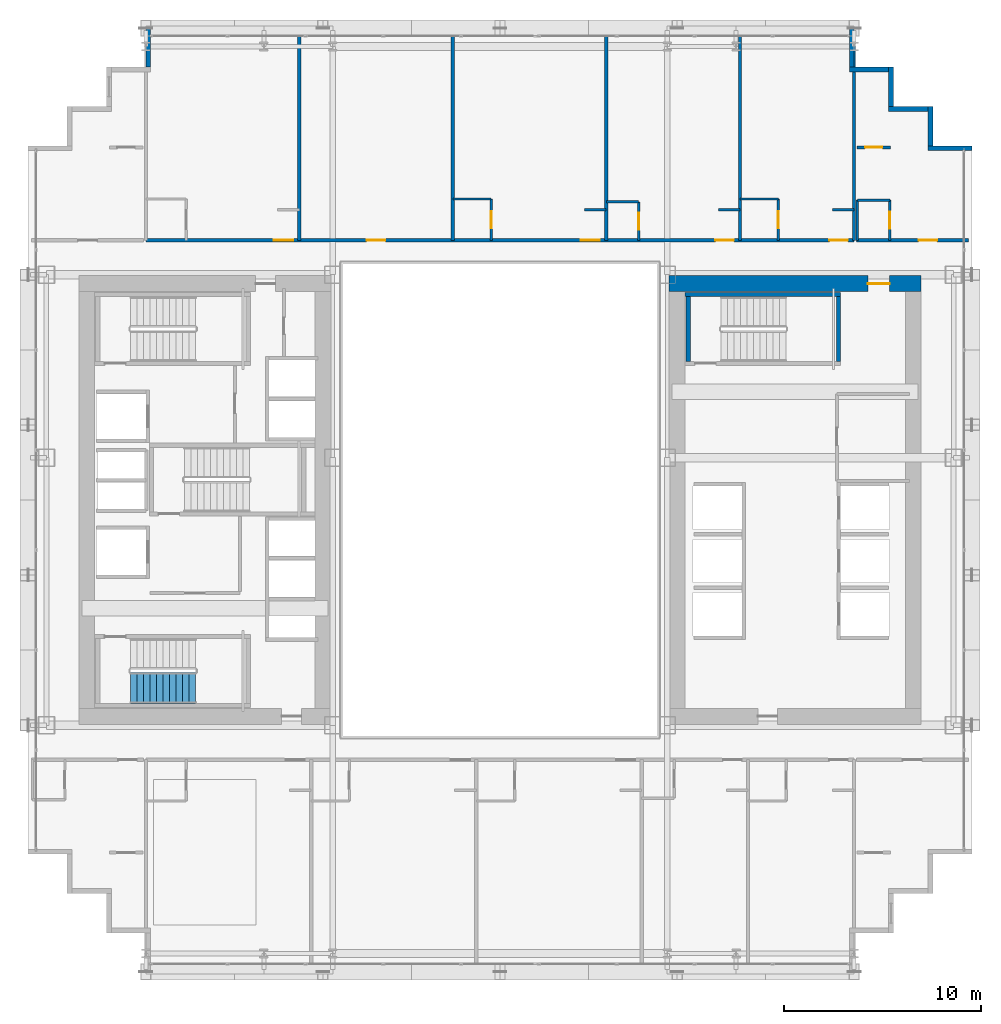
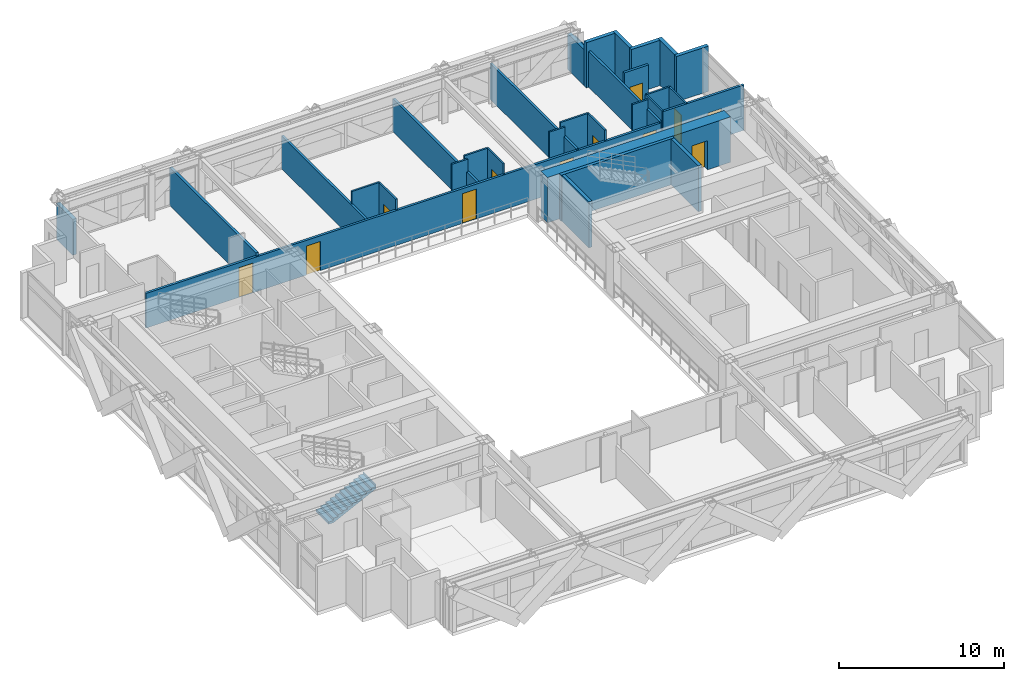
# One storey, part 33 of 38: 31 walls, 12 doors, 1 stair flight, 12 openings, 1 element without a shape of its own.
"""IFC4 building model written with IfcOpenShell, lengths in metres."""

from ifc_helpers import new_model, si_unit, direction, frame, frame_2d, origin, place, context, subcontext, project, spatial, polyline, rectangle, outline, extrude, source, transform, mapped, material, layer, layer_set, type_object, element, fill, aggregate, save


model = new_model("IFC4")

# Units and contexts
model_context = context("Model", 3, precision=1e-05, world=origin(), true_north=direction((0.0, 1.0)))
body_context = subcontext(model_context, "Body", "Model", "MODEL_VIEW")
ifc_project = project(units=[si_unit("LENGTHUNIT", "METRE"), si_unit("AREAUNIT", "SQUARE_METRE"), si_unit("VOLUMEUNIT", "CUBIC_METRE"), si_unit("PLANEANGLEUNIT", "RADIAN"), si_unit("MASSUNIT", "GRAM", prefix="KILO")], contexts=[model_context])

# Site, building, storey
site_placement = place(None, origin())
site = spatial("IfcSite", under=ifc_project, at=site_placement, CompositionType="ELEMENT")
building_placement = place(site_placement, origin())
building = spatial("IfcBuilding", under=site, at=building_placement, Name="Ocotamira Hotel", CompositionType="ELEMENT")
storey_placement = place(building_placement, frame((0.0, 0.0, 60.0)))
storey = spatial("IfcBuildingStorey", under=building, at=storey_placement, Name="L14", CompositionType="ELEMENT", Elevation=60.0)

# Wall, opening, door
ifc_material_1 = material(Name="Concrete C60/75", Category="concrete")
ifc_layer_1 = layer(ifc_material_1, 0.800048828125)
ifc_layer_set_1 = layer_set([ifc_layer_1], Name="Concrete C60/75")
wall_type_1 = type_object("IfcWallType", Name="WL-CORE-800", PredefinedType="SHEAR", material=ifc_layer_set_1)
wall_1_placement = place(storey_placement, frame((40.60009765625, 37.0, 0.0), z_axis=(0.0, 0.0, 1.0), x_axis=(1.0, 0.0, 0.0)))
wall_1 = element("IfcWall", 1, at=wall_1_placement, inside=storey, type_object=wall_type_1, Name="L14 Shear Core Wall ECORE-N", PredefinedType="SHEAR", context=body_context, shape_type="SweptSolid", body=[
    extrude(rectangle(XDim=12.7998046875, YDim=0.800048828125, at=frame_2d((6.39990234375, 0.0))), origin(), (0.0, 0.0, 1.0), 3.35009765625),
])
opening_1_placement = place(wall_1_placement, frame((10.10009765625, 0.0, 0.0)))
opening_1 = element("IfcOpeningElement", 2, at=opening_1_placement, cuts=wall_1, Name="Opening D-FR1", PredefinedType="OPENING", context=body_context, shape_type="SweptSolid", body=[
    extrude(rectangle(XDim=1.10009765625, YDim=2.14990234375, at=frame_2d((0.550048828125, 1.074951171875))), frame((0.0, 0.41015625, 0.0), z_axis=(0.0, -1.0, 0.0), x_axis=(1.0, 0.0, 0.0)), (0.0, 0.0, 1.0), 0.820068359375),
])
ifc_material_2 = material(Name="Fire-rated acoustic timber-veneer door", Category="wood")
door_type_1 = type_object("IfcDoorType", Name="DR-FIRE-1100", OperationType="NOTDEFINED", PredefinedType="DOOR", material=ifc_material_2)
shared_shape_1 = source(origin(), body_context, "Body", "SweptSolid", [
    extrude(rectangle(XDim=1.10009765625, YDim=2.14990234375, at=frame_2d((0.550048828125, 1.074951171875))), frame((0.0, 0.02490234375, 0.0), z_axis=(0.0, -1.0, 0.0), x_axis=(1.0, 0.0, 0.0)), (0.0, 0.0, 1.0), 0.050048828125),
])
door_1_placement = place(opening_1_placement, origin())
door_1 = element("IfcDoor", 3, at=door_1_placement, inside=storey, type_object=door_type_1, Name="L14 Door ID-L14-ELOB-N-D [ID-L14-ELOB-N-D]", OperationType="SINGLE_SWING_LEFT", OverallHeight=2.14990234375, OverallWidth=1.10009765625, PredefinedType="DOOR", context=body_context, shape_type="MappedRepresentation", body=[
    mapped(shared_shape_1, transform((0.0, 0.0, 0.0), scale=1.0)),
])
fill(opening_1, door_1)

# Walls
ifc_material_3 = material(Name="Precast concrete C45/55", Category="concrete")
ifc_layer_2 = layer(ifc_material_3, 0.25)
ifc_layer_set_2 = layer_set([ifc_layer_2], Name="Precast concrete C45/55")
wall_type_2 = type_object("IfcWallType", Name="WL-EXT-SER-250", PredefinedType="SOLIDWALL", material=ifc_layer_set_2)
wall_2_placement = place(storey_placement, frame((56.0, 43.875, 0.0), z_axis=(0.0, 0.0, 1.0), x_axis=(-1.0, 0.0, 0.0)))
element("IfcWall", 4, at=wall_2_placement, inside=storey, type_object=wall_type_2, Name="L14 Serrated Corner Wall 07", PredefinedType="SOLIDWALL", context=body_context, shape_type="SweptSolid", body=[
    extrude(rectangle(XDim=2.25, YDim=0.25, at=frame_2d((1.125, 0.0))), origin(), (0.0, 0.0, 1.0), 3.35009765625),
])
for number, where, z_axis, x_axis, name in (
    (5, (53.875, 44.0, 0.0), (0.0, 0.0, 1.0), (0.0, 1.0, 0.0), "L14 Serrated Corner Wall 08"),
    (6, (53.75, 45.875, 0.0), (0.0, 0.0, 1.0), (-1.0, 0.0, 0.0), "L14 Serrated Corner Wall 09"),
    (7, (51.875, 46.0, 0.0), (0.0, 0.0, 1.0), (0.0, 1.0, 0.0), "L14 Serrated Corner Wall 10"),
    (8, (51.75, 47.875, 0.0), (0.0, 0.0, 1.0), (-1.0, 0.0, 0.0), "L14 Serrated Corner Wall 11"),
):
    element("IfcWall", number, at=place(storey_placement, frame(where, z_axis=z_axis, x_axis=x_axis)), inside=storey, type_object=wall_type_2, Name=name, PredefinedType="SOLIDWALL", context=body_context, shape_type="SweptSolid", body=[
        extrude(rectangle(XDim=2.0, YDim=0.25, at=frame_2d((1.0, 0.0))), origin(), (0.0, 0.0, 1.0), 3.35009765625),
    ])
for number, where, z_axis, x_axis, name in (
    (9, (49.875, 48.0, 0.0), (0.0, 0.0, 1.0), (0.0, 1.0, 0.0), "L14 Serrated Corner Wall 12"),
    (10, (14.125, 50.0, 0.0), (0.0, 0.0, 1.0), (0.0, -1.0, 0.0), "L14 Serrated Corner Wall 13"),
):
    element("IfcWall", number, at=place(storey_placement, frame(where, z_axis=z_axis, x_axis=x_axis)), inside=storey, type_object=wall_type_2, Name=name, PredefinedType="SOLIDWALL", context=body_context, shape_type="SweptSolid", body=[
        extrude(rectangle(XDim=2.0, YDim=0.25, at=frame_2d((1.0, 0.0))), origin(), (0.0, 0.0, 1.0), 2.656982421875),
    ])

# Wall, opening, door
ifc_material_4 = material(Name="Acoustic double-layer fire gypsum board partition", Category="gypsum")
ifc_layer_3 = layer(ifc_material_4, 0.159912109375)
ifc_layer_set_3 = layer_set([ifc_layer_3], Name="Acoustic double-layer fire gypsum board partition")
wall_type_3 = type_object("IfcWallType", Name="WL-FIRE-160", PredefinedType="PARTITIONING", material=ifc_layer_set_3)
wall_3_placement = place(storey_placement, frame((50.1201171875, 39.199951171875, 0.0), z_axis=(0.0, 0.0, 1.0), x_axis=(1.0, 0.0, 0.0)))
wall_3 = element("IfcWall", 11, at=wall_3_placement, inside=storey, type_object=wall_type_3, Name="L14 Interior Wall PW-L14-Z1C-CNE-CW", PredefinedType="PARTITIONING", context=body_context, shape_type="SweptSolid", body=[
    extrude(rectangle(XDim=5.679931640625, YDim=0.159912109375, at=frame_2d((2.83984375, 0.0))), origin(), (0.0, 0.0, 1.0), 3.35009765625),
])
opening_2_placement = place(wall_3_placement, frame((3.14990234375, 0.0, 0.0)))
opening_2 = element("IfcOpeningElement", 12, at=opening_2_placement, cuts=wall_3, Name="Opening D-GR1", PredefinedType="OPENING", context=body_context, shape_type="SweptSolid", body=[
    extrude(rectangle(XDim=0.93994140625, YDim=2.14990234375, at=frame_2d((0.469970703125, 1.074951171875))), frame((0.0, 0.08984375, 0.0), z_axis=(0.0, -1.0, 0.0), x_axis=(1.0, 0.0, 0.0)), (0.0, 0.0, 1.0), 0.179931640625),
])
ifc_material_5 = material(Name="Solid-core walnut suite entrance fire door", Category="wood")
door_type_2 = type_object("IfcDoorType", Name="DR-GUEST-940", OperationType="NOTDEFINED", PredefinedType="DOOR", material=ifc_material_5)
shared_shape_2 = source(origin(), body_context, "Body", "SweptSolid", [
    extrude(rectangle(XDim=0.93994140625, YDim=2.14990234375, at=frame_2d((0.469970703125, 1.074951171875))), frame((0.0, 0.02490234375, 0.0), z_axis=(0.0, -1.0, 0.0), x_axis=(1.0, 0.0, 0.0)), (0.0, 0.0, 1.0), 0.050048828125),
])
door_2_placement = place(opening_2_placement, origin())
door_2 = element("IfcDoor", 13, at=door_2_placement, inside=storey, type_object=door_type_2, Name="L14 Door ID-L14-Z1C-CNE-CD [ID-L14-Z1C-CNE-CD]", OperationType="SINGLE_SWING_RIGHT", OverallHeight=2.14990234375, OverallWidth=0.93994140625, PredefinedType="DOOR", context=body_context, shape_type="MappedRepresentation", body=[
    mapped(shared_shape_2, transform((0.0, 0.0, 0.0), scale=1.0)),
])
fill(opening_2, door_2)

wall_4_placement = place(storey_placement, frame((50.14990234375, 43.919921875, 0.0), z_axis=(0.0, 0.0, 1.0), x_axis=(1.0, 0.0, 0.0)))
wall_4 = element("IfcWall", 14, at=wall_4_placement, inside=storey, type_object=wall_type_3, Name="L14 Interior Wall PW-L14-Z1C-CNE2-CW", PredefinedType="PARTITIONING", context=body_context, shape_type="SweptSolid", body=[
    extrude(rectangle(XDim=1.7001953125, YDim=0.159912109375, at=frame_2d((0.85009765625, 0.0))), origin(), (0.0, 0.0, 1.0), 3.35009765625),
])
opening_3_placement = place(wall_4_placement, frame((0.409912109375, 0.0, 0.0)))
opening_3 = element("IfcOpeningElement", 15, at=opening_3_placement, cuts=wall_4, Name="Opening D-SV2", PredefinedType="OPENING", context=body_context, shape_type="SweptSolid", body=[
    extrude(rectangle(XDim=0.8798828125, YDim=2.14990234375, at=frame_2d((0.43994140625, 1.074951171875))), frame((0.0, 0.08984375, 0.0), z_axis=(0.0, -1.0, 0.0), x_axis=(1.0, 0.0, 0.0)), (0.0, 0.0, 1.0), 0.179931640625),
])
ifc_material_6 = material(Name="Fire-rated painted steel service door", Category="steel")
door_type_3 = type_object("IfcDoorType", Name="DR-SERV-880", OperationType="NOTDEFINED", PredefinedType="DOOR", material=ifc_material_6)
shared_shape_3 = source(origin(), body_context, "Body", "SweptSolid", [
    extrude(rectangle(XDim=0.8798828125, YDim=2.14990234375, at=frame_2d((0.43994140625, 1.074951171875))), frame((0.0, 0.02490234375, 0.0), z_axis=(0.0, -1.0, 0.0), x_axis=(1.0, 0.0, 0.0)), (0.0, 0.0, 1.0), 0.050048828125),
])
door_3_placement = place(opening_3_placement, origin())
door_3 = element("IfcDoor", 16, at=door_3_placement, inside=storey, type_object=door_type_3, Name="L14 Door ID-L14-Z1C-CNE2-CD [ID-L14-Z1C-CNE2-CD]", OperationType="SINGLE_SWING_LEFT", OverallHeight=2.14990234375, OverallWidth=0.8798828125, PredefinedType="DOOR", context=body_context, shape_type="MappedRepresentation", body=[
    mapped(shared_shape_3, transform((0.0, 0.0, 0.0), scale=1.0)),
])
fill(opening_3, door_3)

# Wall, openings, doors
wall_5_placement = place(storey_placement, frame((14.0, 39.199951171875, 0.0), z_axis=(0.0, 0.0, 1.0), x_axis=(1.0, 0.0, 0.0)))
wall_5 = element("IfcWall", 17, at=wall_5_placement, inside=storey, type_object=wall_type_3, Name="L14 Interior Wall PW-L14-Z1CN-CORRW", PredefinedType="PARTITIONING", context=body_context, shape_type="SweptSolid", body=[
    extrude(rectangle(XDim=36.0, YDim=0.159912109375, at=frame_2d((18.0, 0.0))), origin(), (0.0, 0.0, 1.0), 2.571044921875),
])
opening_4_placement = place(wall_5_placement, frame((6.5, 0.0, 0.0)))
opening_4 = element("IfcOpeningElement", 18, at=opening_4_placement, cuts=wall_5, Name="Opening D-GR2", PredefinedType="OPENING", context=body_context, shape_type="SweptSolid", body=[
    extrude(rectangle(XDim=0.97998046875, YDim=2.199951171875, at=frame_2d((0.489990234375, 1.10009765625))), frame((0.0, 0.08984375, 0.0), z_axis=(0.0, -1.0, 0.0), x_axis=(1.0, 0.0, 0.0)), (0.0, 0.0, 1.0), 0.179931640625),
])
opening_5_placement = place(wall_5_placement, frame((11.219970703125, 0.0, 0.0)))
opening_5 = element("IfcOpeningElement", 19, at=opening_5_placement, cuts=wall_5, Name="Opening D-SV4", PredefinedType="OPENING", context=body_context, shape_type="SweptSolid", body=[
    extrude(rectangle(XDim=0.9599609375, YDim=2.14990234375, at=frame_2d((0.47998046875, 1.074951171875))), frame((0.0, 0.08984375, 0.0), z_axis=(0.0, -1.0, 0.0), x_axis=(1.0, 0.0, 0.0)), (0.0, 0.0, 1.0), 0.179931640625),
])
opening_6_placement = place(wall_5_placement, frame((22.10009765625, 0.0, 0.0)))
opening_6 = element("IfcOpeningElement", 20, at=opening_6_placement, cuts=wall_5, Name="Opening D-GR2", PredefinedType="OPENING", context=body_context, shape_type="SweptSolid", body=[
    extrude(rectangle(XDim=0.97998046875, YDim=2.199951171875, at=frame_2d((0.489990234375, 1.10009765625))), frame((0.0, 0.08984375, 0.0), z_axis=(0.0, -1.0, 0.0), x_axis=(1.0, 0.0, 0.0)), (0.0, 0.0, 1.0), 0.179931640625),
])
opening_7_placement = place(wall_5_placement, frame((28.93994140625, 0.0, 0.0)))
opening_7 = element("IfcOpeningElement", 21, at=opening_7_placement, cuts=wall_5, Name="Opening D-GR1", PredefinedType="OPENING", context=body_context, shape_type="SweptSolid", body=[
    extrude(rectangle(XDim=0.93994140625, YDim=2.14990234375, at=frame_2d((0.469970703125, 1.074951171875))), frame((0.0, 0.08984375, 0.0), z_axis=(0.0, -1.0, 0.0), x_axis=(1.0, 0.0, 0.0)), (0.0, 0.0, 1.0), 0.179931640625),
])
opening_8_placement = place(wall_5_placement, frame((34.739990234375, 0.0, 0.0)))
opening_8 = element("IfcOpeningElement", 22, at=opening_8_placement, cuts=wall_5, Name="Opening D-GR1", PredefinedType="OPENING", context=body_context, shape_type="SweptSolid", body=[
    extrude(rectangle(XDim=0.93994140625, YDim=2.14990234375, at=frame_2d((0.469970703125, 1.074951171875))), frame((0.0, 0.08984375, 0.0), z_axis=(0.0, -1.0, 0.0), x_axis=(1.0, 0.0, 0.0)), (0.0, 0.0, 1.0), 0.179931640625),
])
ifc_material_7 = material(Name="Fire-rated accessible walnut salon door", Category="wood")
door_type_4 = type_object("IfcDoorType", Name="DR-SERV-960", OperationType="NOTDEFINED", PredefinedType="DOOR", material=ifc_material_7)
shared_shape_4 = source(origin(), body_context, "Body", "SweptSolid", [
    extrude(rectangle(XDim=0.9599609375, YDim=2.14990234375, at=frame_2d((0.47998046875, 1.074951171875))), frame((0.0, 0.02490234375, 0.0), z_axis=(0.0, -1.0, 0.0), x_axis=(1.0, 0.0, 0.0)), (0.0, 0.0, 1.0), 0.050048828125),
])
door_4_placement = place(opening_5_placement, origin())
door_4 = element("IfcDoor", 23, at=door_4_placement, inside=storey, type_object=door_type_4, Name="L14 Door ID-L14-Z1CN-AMD2 [ID-L14-Z1CN-AMD2]", OperationType="SINGLE_SWING_RIGHT", OverallHeight=2.14990234375, OverallWidth=0.9599609375, PredefinedType="DOOR", context=body_context, shape_type="MappedRepresentation", body=[
    mapped(shared_shape_4, transform((0.0, 0.0, 0.0), scale=1.0)),
])
fill(opening_5, door_4)
door_5_placement = place(opening_7_placement, origin())
door_5 = element("IfcDoor", 24, at=door_5_placement, inside=storey, type_object=door_type_2, Name="L14 Door ID-L14-Z1CN-RMD4 [ID-L14-Z1CN-RMD4]", OperationType="SINGLE_SWING_RIGHT", OverallHeight=2.14990234375, OverallWidth=0.93994140625, PredefinedType="DOOR", context=body_context, shape_type="MappedRepresentation", body=[
    mapped(shared_shape_2, transform((0.0, 0.0, 0.0), scale=1.0)),
])
fill(opening_7, door_5)
door_6_placement = place(opening_8_placement, origin())
door_6 = element("IfcDoor", 25, at=door_6_placement, inside=storey, type_object=door_type_2, Name="L14 Door ID-L14-Z1CN-RMD5 [ID-L14-Z1CN-RMD5]", OperationType="SINGLE_SWING_LEFT", OverallHeight=2.14990234375, OverallWidth=0.93994140625, PredefinedType="DOOR", context=body_context, shape_type="MappedRepresentation", body=[
    mapped(shared_shape_2, transform((0.0, 0.0, 0.0), scale=1.0)),
])
fill(opening_8, door_6)
ifc_material_8 = material(Name="Solid-core walnut grand-suite entrance fire door", Category="wood")
door_type_5 = type_object("IfcDoorType", Name="DR-GUEST-980", OperationType="NOTDEFINED", PredefinedType="DOOR", material=ifc_material_8)
shared_shape_5 = source(origin(), body_context, "Body", "SweptSolid", [
    extrude(rectangle(XDim=0.97998046875, YDim=2.199951171875, at=frame_2d((0.489990234375, 1.10009765625))), frame((0.0, 0.02490234375, 0.0), z_axis=(0.0, -1.0, 0.0), x_axis=(1.0, 0.0, 0.0)), (0.0, 0.0, 1.0), 0.050048828125),
])
door_7_placement = place(opening_4_placement, origin())
door_7 = element("IfcDoor", 26, at=door_7_placement, inside=storey, type_object=door_type_5, Name="L14 Door ID-L14-Z1CN-RMD1 [ID-L14-Z1CN-RMD1]", OperationType="SINGLE_SWING_LEFT", OverallHeight=2.199951171875, OverallWidth=0.97998046875, PredefinedType="DOOR", context=body_context, shape_type="MappedRepresentation", body=[
    mapped(shared_shape_5, transform((0.0, 0.0, 0.0), scale=1.0)),
])
fill(opening_4, door_7)
door_8_placement = place(opening_6_placement, origin())
door_8 = element("IfcDoor", 27, at=door_8_placement, inside=storey, type_object=door_type_5, Name="L14 Door ID-L14-Z1CN-RMD3 [ID-L14-Z1CN-RMD3]", OperationType="SINGLE_SWING_LEFT", OverallHeight=2.199951171875, OverallWidth=0.97998046875, PredefinedType="DOOR", context=body_context, shape_type="MappedRepresentation", body=[
    mapped(shared_shape_5, transform((0.0, 0.0, 0.0), scale=1.0)),
])
fill(opening_6, door_8)

# Wall, opening, door
ifc_material_9 = material(Name="Moisture-resistant en-suite tile and gypsum partition", Category="gypsum")
ifc_layer_4 = layer(ifc_material_9, 0.1201171875)
ifc_layer_set_4 = layer_set([ifc_layer_4], Name="Moisture-resistant en-suite tile and gypsum partition")
wall_type_4 = type_object("IfcWallType", Name="WL-PART-120", PredefinedType="PARTITIONING", material=ifc_layer_set_4)
wall_6_placement = place(storey_placement, frame((51.81005859375, 39.199951171875, 0.0), z_axis=(0.0, 0.0, 1.0), x_axis=(0.0, 1.0, 0.0)))
wall_6 = element("IfcWall", 28, at=wall_6_placement, inside=storey, type_object=wall_type_4, Name="L14 Interior Wall PW-L14-Z1C-CNE-BE", PredefinedType="PARTITIONING", context=body_context, shape_type="SweptSolid", body=[
    extrude(rectangle(XDim=2.0400390625, YDim=0.1201171875, at=frame_2d((1.02001953125, 0.0))), origin(), (0.0, 0.0, 1.0), 3.35009765625),
])
opening_9_placement = place(wall_6_placement, frame((0.590087890625, 0.0, 0.0)))
opening_9 = element("IfcOpeningElement", 29, at=opening_9_placement, cuts=wall_6, Name="Opening D-BA1", PredefinedType="OPENING", context=body_context, shape_type="SweptSolid", body=[
    extrude(rectangle(XDim=0.860107421875, YDim=2.10009765625, at=frame_2d((0.43017578125, 1.050048828125))), frame((0.0, 0.070068359375, 0.0), z_axis=(0.0, -1.0, 0.0), x_axis=(1.0, 0.0, 0.0)), (0.0, 0.0, 1.0), 0.14013671875),
])
ifc_material_10 = material(Name="Moisture-sealed en-suite timber door", Category="wood")
door_type_6 = type_object("IfcDoorType", Name="DR-BATH-860", OperationType="NOTDEFINED", PredefinedType="DOOR", material=ifc_material_10)
shared_shape_6 = source(origin(), body_context, "Body", "SweptSolid", [
    extrude(rectangle(XDim=0.860107421875, YDim=2.10009765625, at=frame_2d((0.43017578125, 1.050048828125))), frame((0.0, 0.02490234375, 0.0), z_axis=(0.0, -1.0, 0.0), x_axis=(1.0, 0.0, 0.0)), (0.0, 0.0, 1.0), 0.050048828125),
])
door_9_placement = place(opening_9_placement, origin())
door_9 = element("IfcDoor", 30, at=door_9_placement, inside=storey, type_object=door_type_6, Name="L14 Door ID-L14-Z1C-CNE-BD [ID-L14-Z1C-CNE-BD]", OperationType="SINGLE_SWING_LEFT", OverallHeight=2.10009765625, OverallWidth=0.860107421875, PredefinedType="DOOR", context=body_context, shape_type="MappedRepresentation", body=[
    mapped(shared_shape_6, transform((0.0, 0.0, 0.0), scale=1.0)),
])
fill(opening_9, door_9)

# Walls
wall_7_placement = place(storey_placement, frame((50.159912109375, 39.199951171875, 0.0), z_axis=(0.0, 0.0, 1.0), x_axis=(0.0, 1.0, 0.0)))
element("IfcWall", 31, at=wall_7_placement, inside=storey, type_object=wall_type_4, Name="L14 Interior Wall PW-L14-Z1C-CNE-BW", PredefinedType="PARTITIONING", context=body_context, shape_type="SweptSolid", body=[
    extrude(rectangle(XDim=2.0400390625, YDim=0.1201171875, at=frame_2d((1.02001953125, 0.0))), origin(), (0.0, 0.0, 1.0), 3.35009765625),
])
wall_8_placement = place(storey_placement, frame((50.159912109375, 41.239990234375, 0.0), z_axis=(0.0, 0.0, 1.0), x_axis=(1.0, 0.0, 0.0)))
element("IfcWall", 32, at=wall_8_placement, inside=storey, type_object=wall_type_4, Name="L14 Interior Wall PW-L14-Z1C-CNE-BH", PredefinedType="PARTITIONING", context=body_context, shape_type="SweptSolid", body=[
    extrude(rectangle(XDim=1.650146484375, YDim=0.1201171875, at=frame_2d((0.8251953125, 0.0))), origin(), (0.0, 0.0, 1.0), 3.35009765625),
])

# Wall, opening, door
wall_9_placement = place(storey_placement, frame((31.550048828125, 39.199951171875, 0.0), z_axis=(0.0, 0.0, 1.0), x_axis=(0.0, 1.0, 0.0)))
wall_9 = element("IfcWall", 33, at=wall_9_placement, inside=storey, type_object=wall_type_4, Name="L14 Interior Wall PW-L14-Z1CN-BAE3", PredefinedType="PARTITIONING", context=body_context, shape_type="SweptSolid", body=[
    extrude(rectangle(XDim=2.10009765625, YDim=0.1201171875, at=frame_2d((1.050048828125, 0.0))), origin(), (0.0, 0.0, 1.0), 3.35009765625),
])
opening_10_placement = place(wall_9_placement, frame((0.6201171875, 0.0, 0.0)))
opening_10 = element("IfcOpeningElement", 34, at=opening_10_placement, cuts=wall_9, Name="Opening D-BA1", PredefinedType="OPENING", context=body_context, shape_type="SweptSolid", body=[
    extrude(rectangle(XDim=0.860107421875, YDim=2.10009765625, at=frame_2d((0.43017578125, 1.050048828125))), frame((0.0, 0.070068359375, 0.0), z_axis=(0.0, -1.0, 0.0), x_axis=(1.0, 0.0, 0.0)), (0.0, 0.0, 1.0), 0.14013671875),
])
door_10_placement = place(opening_10_placement, origin())
door_10 = element("IfcDoor", 35, at=door_10_placement, inside=storey, type_object=door_type_6, Name="L14 Door ID-L14-Z1CN-BAD3 [ID-L14-Z1CN-BAD3]", OperationType="SINGLE_SWING_RIGHT", OverallHeight=2.10009765625, OverallWidth=0.860107421875, PredefinedType="DOOR", context=body_context, shape_type="MappedRepresentation", body=[
    mapped(shared_shape_6, transform((0.0, 0.0, 0.0), scale=1.0)),
])
fill(opening_10, door_10)

# Walls
wall_10_placement = place(storey_placement, frame((29.60009765625, 41.300048828125, 0.0), z_axis=(0.0, 0.0, 1.0), x_axis=(1.0, 0.0, 0.0)))
element("IfcWall", 36, at=wall_10_placement, inside=storey, type_object=wall_type_4, Name="L14 Interior Wall PW-L14-Z1CN-BAN3", PredefinedType="PARTITIONING", context=body_context, shape_type="SweptSolid", body=[
    extrude(rectangle(XDim=1.949951171875, YDim=0.1201171875, at=frame_2d((0.97509765625, 0.0))), origin(), (0.0, 0.0, 1.0), 3.35009765625),
])
wall_11_placement = place(storey_placement, frame((36.300048828125, 40.75, 0.0), z_axis=(0.0, 0.0, 1.0), x_axis=(1.0, 0.0, 0.0)))
element("IfcWall", 37, at=wall_11_placement, inside=storey, type_object=wall_type_4, Name="L14 Interior Wall PW-L14-Z1CN-DRN3", PredefinedType="PARTITIONING", context=body_context, shape_type="SweptSolid", body=[
    extrude(rectangle(XDim=1.099853515625, YDim=0.1201171875, at=frame_2d((0.5498046875, 0.0))), origin(), (0.0, 0.0, 1.0), 3.35009765625),
])

# Wall, opening, door
wall_12_placement = place(storey_placement, frame((39.050048828125, 39.199951171875, 0.0), z_axis=(0.0, 0.0, 1.0), x_axis=(0.0, 1.0, 0.0)))
wall_12 = element("IfcWall", 38, at=wall_12_placement, inside=storey, type_object=wall_type_4, Name="L14 Interior Wall PW-L14-Z1CN-BAE4", PredefinedType="PARTITIONING", context=body_context, shape_type="SweptSolid", body=[
    extrude(rectangle(XDim=1.949951171875, YDim=0.1201171875, at=frame_2d((0.97509765625, 0.0))), origin(), (0.0, 0.0, 1.0), 3.35009765625),
])
opening_11_placement = place(wall_12_placement, frame((0.544921875, 0.0, 0.0)))
opening_11 = element("IfcOpeningElement", 39, at=opening_11_placement, cuts=wall_12, Name="Opening D-BA1", PredefinedType="OPENING", context=body_context, shape_type="SweptSolid", body=[
    extrude(rectangle(XDim=0.860107421875, YDim=2.10009765625, at=frame_2d((0.43017578125, 1.050048828125))), frame((0.0, 0.070068359375, 0.0), z_axis=(0.0, -1.0, 0.0), x_axis=(1.0, 0.0, 0.0)), (0.0, 0.0, 1.0), 0.14013671875),
])
door_11_placement = place(opening_11_placement, origin())
door_11 = element("IfcDoor", 40, at=door_11_placement, inside=storey, type_object=door_type_6, Name="L14 Door ID-L14-Z1CN-BAD4 [ID-L14-Z1CN-BAD4]", OperationType="SINGLE_SWING_LEFT", OverallHeight=2.10009765625, OverallWidth=0.860107421875, PredefinedType="DOOR", context=body_context, shape_type="MappedRepresentation", body=[
    mapped(shared_shape_6, transform((0.0, 0.0, 0.0), scale=1.0)),
])
fill(opening_11, door_11)

# Walls
wall_13_placement = place(storey_placement, frame((37.39990234375, 41.14990234375, 0.0), z_axis=(0.0, 0.0, 1.0), x_axis=(1.0, 0.0, 0.0)))
element("IfcWall", 41, at=wall_13_placement, inside=storey, type_object=wall_type_4, Name="L14 Interior Wall PW-L14-Z1CN-BAN4", PredefinedType="PARTITIONING", context=body_context, shape_type="SweptSolid", body=[
    extrude(rectangle(XDim=1.650146484375, YDim=0.1201171875, at=frame_2d((0.8251953125, 0.0))), origin(), (0.0, 0.0, 1.0), 3.35009765625),
])
wall_14_placement = place(storey_placement, frame((43.10009765625, 40.75, 0.0), z_axis=(0.0, 0.0, 1.0), x_axis=(1.0, 0.0, 0.0)))
element("IfcWall", 42, at=wall_14_placement, inside=storey, type_object=wall_type_4, Name="L14 Interior Wall PW-L14-Z1CN-DRN4", PredefinedType="PARTITIONING", context=body_context, shape_type="SweptSolid", body=[
    extrude(rectangle(XDim=1.099853515625, YDim=0.1201171875, at=frame_2d((0.5498046875, 0.0))), origin(), (0.0, 0.0, 1.0), 3.35009765625),
])

# Wall, opening, door
wall_15_placement = place(storey_placement, frame((46.14990234375, 39.199951171875, 0.0), z_axis=(0.0, 0.0, 1.0), x_axis=(0.0, 1.0, 0.0)))
wall_15 = element("IfcWall", 43, at=wall_15_placement, inside=storey, type_object=wall_type_4, Name="L14 Interior Wall PW-L14-Z1CN-BAE5", PredefinedType="PARTITIONING", context=body_context, shape_type="SweptSolid", body=[
    extrude(rectangle(XDim=2.10009765625, YDim=0.1201171875, at=frame_2d((1.050048828125, 0.0))), origin(), (0.0, 0.0, 1.0), 3.35009765625),
])
opening_12_placement = place(wall_15_placement, frame((0.6201171875, 0.0, 0.0)))
opening_12 = element("IfcOpeningElement", 44, at=opening_12_placement, cuts=wall_15, Name="Opening D-BA1", PredefinedType="OPENING", context=body_context, shape_type="SweptSolid", body=[
    extrude(rectangle(XDim=0.860107421875, YDim=2.10009765625, at=frame_2d((0.43017578125, 1.050048828125))), frame((0.0, 0.070068359375, 0.0), z_axis=(0.0, -1.0, 0.0), x_axis=(1.0, 0.0, 0.0)), (0.0, 0.0, 1.0), 0.14013671875),
])
door_12_placement = place(opening_12_placement, origin())
door_12 = element("IfcDoor", 45, at=door_12_placement, inside=storey, type_object=door_type_6, Name="L14 Door ID-L14-Z1CN-BAD5 [ID-L14-Z1CN-BAD5]", OperationType="SINGLE_SWING_RIGHT", OverallHeight=2.10009765625, OverallWidth=0.860107421875, PredefinedType="DOOR", context=body_context, shape_type="MappedRepresentation", body=[
    mapped(shared_shape_6, transform((0.0, 0.0, 0.0), scale=1.0)),
])
fill(opening_12, door_12)

# Walls
wall_16_placement = place(storey_placement, frame((44.199951171875, 41.300048828125, 0.0), z_axis=(0.0, 0.0, 1.0), x_axis=(1.0, 0.0, 0.0)))
element("IfcWall", 46, at=wall_16_placement, inside=storey, type_object=wall_type_4, Name="L14 Interior Wall PW-L14-Z1CN-BAN5", PredefinedType="PARTITIONING", context=body_context, shape_type="SweptSolid", body=[
    extrude(rectangle(XDim=1.949951171875, YDim=0.1201171875, at=frame_2d((0.97509765625, 0.0))), origin(), (0.0, 0.0, 1.0), 3.35009765625),
])
wall_17_placement = place(storey_placement, frame((48.89990234375, 40.75, 0.0), z_axis=(0.0, 0.0, 1.0), x_axis=(1.0, 0.0, 0.0)))
element("IfcWall", 47, at=wall_17_placement, inside=storey, type_object=wall_type_4, Name="L14 Interior Wall PW-L14-Z1CN-DRN5", PredefinedType="PARTITIONING", context=body_context, shape_type="SweptSolid", body=[
    extrude(rectangle(XDim=1.10009765625, YDim=0.1201171875, at=frame_2d((0.550048828125, 0.0))), origin(), (0.0, 0.0, 1.0), 3.35009765625),
])
ifc_material_11 = material(Name="Acoustic double-stud hospitality gypsum partition", Category="gypsum")
ifc_layer_5 = layer(ifc_material_11, 0.159912109375)
ifc_layer_set_5 = layer_set([ifc_layer_5], Name="Acoustic double-stud hospitality gypsum partition")
wall_type_5 = type_object("IfcWallType", Name="WL-PART-160", PredefinedType="PARTITIONING", material=ifc_layer_set_5)
wall_18_placement = place(storey_placement, frame((50.0, 39.199951171875, 0.0), z_axis=(0.0, 0.0, 1.0), x_axis=(0.0, 1.0, 0.0)))
element("IfcWall", 48, at=wall_18_placement, inside=storey, type_object=wall_type_5, Name="L14 Interior Wall PW-L14-Z1CN-PWEND", PredefinedType="PARTITIONING", context=body_context, shape_type="SweptSolid", body=[
    extrude(rectangle(XDim=10.43994140625, YDim=0.159912109375, at=frame_2d((5.219970703125, 0.0))), origin(), (0.0, 0.0, 1.0), 2.656982421875),
])
wall_19_placement = place(storey_placement, frame((29.60009765625, 39.199951171875, 0.0), z_axis=(0.0, 0.0, 1.0), x_axis=(0.0, 1.0, 0.0)))
element("IfcWall", 49, at=wall_19_placement, inside=storey, type_object=wall_type_5, Name="L14 Interior Wall PW-L14-Z1CN-PW2", PredefinedType="PARTITIONING", context=body_context, shape_type="SweptSolid", body=[
    extrude(rectangle(XDim=10.43994140625, YDim=0.159912109375, at=frame_2d((5.219970703125, 0.0))), origin(), (0.0, 0.0, 1.0), 2.423095703125),
])
wall_20_placement = place(storey_placement, frame((44.199951171875, 39.199951171875, 0.0), z_axis=(0.0, 0.0, 1.0), x_axis=(0.0, 1.0, 0.0)))
element("IfcWall", 50, at=wall_20_placement, inside=storey, type_object=wall_type_5, Name="L14 Interior Wall PW-L14-Z1CN-PW4", PredefinedType="PARTITIONING", context=body_context, shape_type="SweptSolid", body=[
    extrude(rectangle(XDim=10.43994140625, YDim=0.159912109375, at=frame_2d((5.219970703125, 0.0))), origin(), (0.0, 0.0, 1.0), 2.656982421875),
])
ifc_material_12 = material(Name="Double-stud suite party gypsum partition", Category="gypsum")
ifc_layer_6 = layer(ifc_material_12, 0.175048828125)
ifc_layer_set_6 = layer_set([ifc_layer_6], Name="Double-stud suite party gypsum partition")
wall_type_6 = type_object("IfcWallType", Name="WL-PART-175", PredefinedType="PARTITIONING", material=ifc_layer_set_6)
wall_21_placement = place(storey_placement, frame((21.800048828125, 39.199951171875, 0.0), z_axis=(0.0, 0.0, 1.0), x_axis=(0.0, 1.0, 0.0)))
element("IfcWall", 51, at=wall_21_placement, inside=storey, type_object=wall_type_6, Name="L14 Interior Wall PW-L14-Z1CN-PW1", PredefinedType="PARTITIONING", context=body_context, shape_type="SweptSolid", body=[
    extrude(rectangle(XDim=10.43994140625, YDim=0.175048828125, at=frame_2d((5.219970703125, 0.0))), origin(), (0.0, 0.0, 1.0), 2.81298828125),
])
wall_22_placement = place(storey_placement, frame((37.39990234375, 39.199951171875, 0.0), z_axis=(0.0, 0.0, 1.0), x_axis=(0.0, 1.0, 0.0)))
element("IfcWall", 52, at=wall_22_placement, inside=storey, type_object=wall_type_6, Name="L14 Interior Wall PW-L14-Z1CN-PW3", PredefinedType="PARTITIONING", context=body_context, shape_type="SweptSolid", body=[
    extrude(rectangle(XDim=10.43994140625, YDim=0.175048828125, at=frame_2d((5.219970703125, 0.0))), origin(), (0.0, 0.0, 1.0), 2.423095703125),
])
ifc_material_13 = material(Name="Concrete C50/60", Category="concrete")
ifc_layer_7 = layer(ifc_material_13, 0.219970703125)
ifc_layer_set_7 = layer_set([ifc_layer_7], Name="Concrete C50/60")
wall_type_7 = type_object("IfcWallType", Name="WL-STAIR-220", PredefinedType="SHEAR", material=ifc_layer_set_7)
wall_23_placement = place(storey_placement, frame((41.39990234375, 36.43994140625, 0.0), z_axis=(0.0, 0.0, 1.0), x_axis=(1.0, 0.0, 0.0)))
element("IfcWall", 53, at=wall_23_placement, inside=storey, type_object=wall_type_7, Name="L14 Stair Shaft Structural Wall ST-4-N", PredefinedType="SHEAR", context=body_context, shape_type="SweptSolid", body=[
    extrude(rectangle(XDim=7.91015625, YDim=0.219970703125, at=frame_2d((3.955078125, 0.0))), origin(), (0.0, 0.0, 1.0), 3.39990234375),
])
for number, where, z_axis, x_axis, name in (
    (54, (41.56005859375, 33.050048828125, 0.0), (0.0, 0.0, 1.0), (0.0, 1.0, 0.0), "L14 Stair Shaft Structural Wall ST-4-W"),
    (55, (49.199951171875, 33.050048828125, 0.0), (0.0, 0.0, 1.0), (0.0, 1.0, 0.0), "L14 Stair Shaft Structural Wall ST-4-E"),
):
    element("IfcWall", number, at=place(storey_placement, frame(where, z_axis=z_axis, x_axis=x_axis)), inside=storey, type_object=wall_type_7, Name=name, PredefinedType="SHEAR", context=body_context, shape_type="SweptSolid", body=[
        extrude(rectangle(XDim=3.280029296875, YDim=0.219970703125, at=frame_2d((1.64013671875, 0.0))), origin(), (0.0, 0.0, 1.0), 3.39990234375),
    ])

# Stair, stair flight
ifc_material_14 = material(Name="Concrete C40/50", Category="concrete")
stair_type = type_object("IfcStairType", Name="ST-CORE-1560", PredefinedType="HALF_TURN_STAIR", material=ifc_material_14)
stair_placement = place(storey_placement, origin())
stair = element("IfcStair", 56, at=stair_placement, inside=storey, type_object=stair_type, Name="L14 Exit Stair ST-1", PredefinedType="HALF_TURN_STAIR")
stair_flight_type = type_object("IfcStairFlightType", Name="STF-CORE-1560", PredefinedType="STRAIGHT", material=ifc_material_14)
shared_shape_7 = source(origin(), body_context, "Body", "SweptSolid", [
    extrude(outline(polyline([(-0.00390625, 0.0), (-0.00390625, 0.16357421875), (0.330078125, 0.16357421875), (0.330078125, 0.327392578125), (0.659912109375, 0.327392578125), (0.659912109375, 0.490966796875), (0.989990234375, 0.490966796875), (0.989990234375, 0.654541015625), (1.320068359375, 0.654541015625), (1.320068359375, 0.818115234375), (1.64990234375, 0.818115234375), (1.64990234375, 0.98193359375), (1.97998046875, 0.98193359375), (1.97998046875, 1.1455078125), (2.31005859375, 1.1455078125), (2.31005859375, 1.30908203125), (2.639892578125, 1.30908203125), (2.639892578125, 1.47265625), (2.969970703125, 1.47265625), (2.969970703125, 1.636474609375), (3.300048828125, 1.636474609375), (3.300048828125, 1.800048828125), (3.303955078125, 1.800048828125), (3.303955078125, 1.468994140625), (0.33740234375, 0.0), (-0.00390625, 0.0)])), frame((0.0, 0.780029296875, 0.0), z_axis=(0.0, -1.0, 0.0), x_axis=(1.0, 0.0, 0.0)), (0.0, 0.0, 1.0), 1.56005859375),
])
stair_flight_placement = place(storey_placement, frame((13.22998046875, 16.449951171875, 0.0), z_axis=(0.0, 0.0, 1.0), x_axis=(1.0, 0.0, 0.0)))
stair_flight = element("IfcStairFlight", 57, at=stair_flight_placement, type_object=stair_flight_type, Name="ST-1 flight 1", NumberOfRisers=11, NumberOfTreads=10, PredefinedType="STRAIGHT", RiserHeight=0.163636364, TreadLength=0.33, context=body_context, shape_type="MappedRepresentation", body=[
    mapped(shared_shape_7, transform((0.0, 0.0, 0.0), scale=1.0)),
])
aggregate(stair, [stair_flight])

save(model, "model.ifc")
